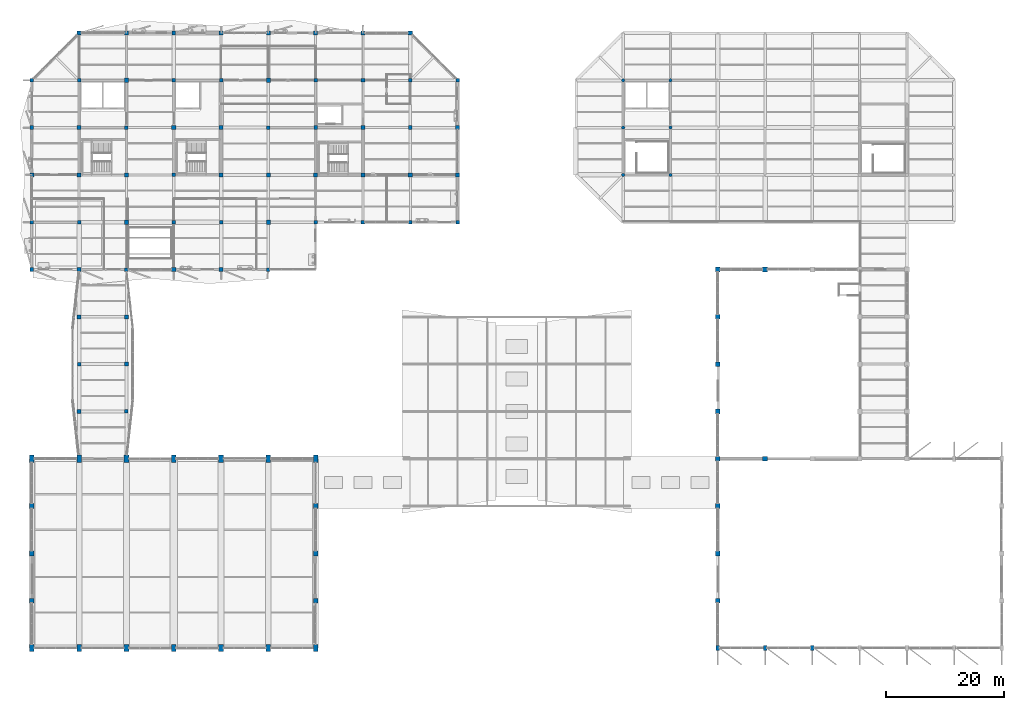
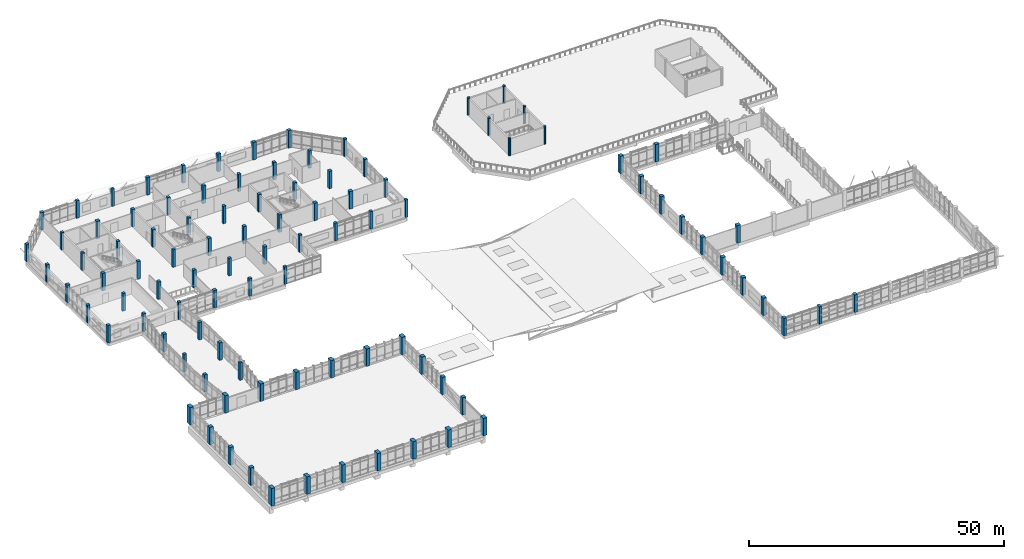
# One storey, part 1 of 84: 99 columns.
"""IFC4 building model written with IfcOpenShell, lengths in metres."""

import ifcopenshell
import ifcopenshell.guid

model = None  # the IFC model being written
_history = None  # IfcOwnerHistory: only IFC2X3 demands one
_inside = {}  # id of a spatial element -> (the spatial element, [elements in it])
_under = {}  # id of a project, library or spatial element -> (it, [spatial elements below it])
_declared = {}  # id of a project -> (the project, [libraries it declares])
_typed = {}  # id of a type object -> (the type object, [elements of that type])
_made_of = {}  # id of a material, layer set ... -> (it, [elements and type objects made of it])


def new_model(schema):
    """Start an empty IFC model of exactly this schema.

    Asked for "IFC4X3", IfcOpenShell would pick the latest addendum, in which some entities
    have other attributes; the version numbers below select the first issue.
    IFC2X3 requires an IfcOwnerHistory on every rooted entity: one is made here for all.
    """
    global model, _history
    if schema == "IFC4X3":
        model = ifcopenshell.file(schema_version=(4, 3, 0, 0))
    else:
        model = ifcopenshell.file(schema=schema)
    _inside.clear()
    _under.clear()
    _declared.clear()
    _typed.clear()
    _made_of.clear()
    _history = None
    if model.schema == "IFC2X3":
        org = make("IfcOrganization", Name="unknown")
        user = make(
            "IfcPersonAndOrganization",
            ThePerson=make("IfcPerson", FamilyName="unknown"),
            TheOrganization=org,
        )
        app = make(
            "IfcApplication",
            ApplicationDeveloper=org,
            Version="unknown",
            ApplicationFullName="unknown",
            ApplicationIdentifier="unknown",
        )
        _history = make(
            "IfcOwnerHistory",
            OwningUser=user,
            OwningApplication=app,
            ChangeAction="ADDED",
            CreationDate=0,
        )
    return model


def make(cls, **values):
    """One entity of the class cls with the attributes given. An attribute that is None is left unset."""
    return model.create_entity(
        cls, **{name: value for name, value in values.items() if value is not None}
    )


def rooted(cls, **values):
    """An entity with a GlobalId (a new one), such as an element, a storey or a relation."""
    return make(cls, GlobalId=ifcopenshell.guid.new(), OwnerHistory=_history, **values)


def si_unit(unit_type, name, prefix=None):
    """IfcSIUnit, for example si_unit("LENGTHUNIT", "METRE", prefix="MILLI")."""
    return make("IfcSIUnit", UnitType=unit_type, Prefix=prefix, Name=name)


def assignment(units):
    """IfcUnitAssignment: the units of a project."""
    return None if units is None else make("IfcUnitAssignment", Units=units)


def point(xyz):
    """IfcCartesianPoint."""
    return None if xyz is None else make("IfcCartesianPoint", Coordinates=xyz)


def direction(xyz):
    """IfcDirection."""
    return None if xyz is None else make("IfcDirection", DirectionRatios=xyz)


def frame(location, z_axis=None, x_axis=None):
    """IfcAxis2Placement3D, a coordinate frame: its origin and axes. An axis left out is left unset."""
    return make(
        "IfcAxis2Placement3D",
        Location=point(location),
        Axis=direction(z_axis),
        RefDirection=direction(x_axis),
    )


def frame_2d(location, x_axis=None):
    """IfcAxis2Placement2D, a coordinate frame in the plane: its origin and x axis."""
    return make(
        "IfcAxis2Placement2D", Location=point(location), RefDirection=direction(x_axis)
    )


def origin():
    """The frame at (0, 0, 0) with its axes left unset."""
    return frame((0.0, 0.0, 0.0))


def origin_2d():
    """The frame at (0, 0) in the plane with its x axis left unset."""
    return frame_2d((0.0, 0.0))


def place(relative_to, where):
    """IfcLocalPlacement: puts the frame where relative to a parent placement (None: the world)."""
    return make(
        "IfcLocalPlacement", PlacementRelTo=relative_to, RelativePlacement=where
    )


def context(
    kind, dimensions, precision=None, world=None, true_north=None, identifier=None
):
    """IfcGeometricRepresentationContext, for example the 3D "Model" context."""
    return make(
        "IfcGeometricRepresentationContext",
        ContextIdentifier=identifier,
        ContextType=kind,
        CoordinateSpaceDimension=dimensions,
        Precision=precision,
        WorldCoordinateSystem=world,
        TrueNorth=true_north,
    )


def subcontext(parent, identifier, kind, view, scale=None):
    """IfcGeometricRepresentationSubContext, for example "Body" below "Model"."""
    return make(
        "IfcGeometricRepresentationSubContext",
        ContextIdentifier=identifier,
        ContextType=kind,
        ParentContext=parent,
        TargetScale=scale,
        TargetView=view,
    )


def project(units=None, contexts=None):
    """IfcProject with its units and contexts."""
    return rooted(
        "IfcProject",
        Name="project",
        RepresentationContexts=contexts,
        UnitsInContext=assignment(units),
    )


def spatial(cls, under=None, at=None, **own):
    """A site, building, storey or space (cls), placed at a placement, below another one or the project."""
    s = rooted(cls, ObjectPlacement=at, **own)
    if under is not None:
        _under.setdefault(under.id(), (under, []))[1].append(s)
    return s


def profile(cls, at=None, kind="AREA", **sizes):
    """A parametric profile (cls). Its sizes go by their IFC names, for example OverallWidth=200.0."""
    return make(cls, ProfileType=kind, Position=at, **sizes)


def rectangle(**sizes):
    """IfcRectangleProfileDef."""
    return profile("IfcRectangleProfileDef", **sizes)


def circle(**sizes):
    """IfcCircleProfileDef."""
    return profile("IfcCircleProfileDef", **sizes)


def extrude(swept, where, along, depth):
    """IfcExtrudedAreaSolid: the profile swept, set in the frame where, extruded along a direction by depth."""
    return make(
        "IfcExtrudedAreaSolid",
        SweptArea=swept,
        Position=where,
        ExtrudedDirection=direction(along),
        Depth=depth,
    )


def shape(context_of_items, identifier, shape_type, items):
    """IfcShapeRepresentation: the items that make up one representation, for example the "Body"."""
    return make(
        "IfcShapeRepresentation",
        ContextOfItems=context_of_items,
        RepresentationIdentifier=identifier,
        RepresentationType=shape_type,
        Items=items,
    )


def material(Name=None, Category=None):
    """IfcMaterial."""
    return make("IfcMaterial", Name=Name, Category=Category)


def material_profile(
    of_material, cross_section, Name=None, Category=None, Priority=None
):
    """IfcMaterialProfile: a cross section and its material."""
    return make(
        "IfcMaterialProfile",
        Name=Name,
        Material=of_material,
        Profile=cross_section,
        Priority=Priority,
        Category=Category,
    )


def profile_set(profiles, Name=None, composite=None):
    """IfcMaterialProfileSet."""
    return make(
        "IfcMaterialProfileSet",
        Name=Name,
        MaterialProfiles=profiles,
        CompositeProfile=composite,
    )


def made_of(thing, what):
    """Note that an element or type object is made of a material, layer set ...; save() writes the relation."""
    if what is not None:
        _made_of.setdefault(what.id(), (what, []))[1].append(thing)
    return thing


def type_object(cls, material=None, **own):
    """A type object (cls), such as IfcWallType, which elements share."""
    return made_of(rooted(cls, **own), material)


def element(
    cls,
    number,
    at=None,
    inside=None,
    cuts=None,
    type_object=None,
    material=None,
    context=None,
    identifier="Body",
    shape_type=None,
    held_by="IfcProductDefinitionShape",
    body=None,
    shapes=None,
    **own,
):
    """One element of the class cls, such as IfcWall. Its Tag is "e" and its number.

    at: its placement. inside: the storey or other place that contains it. cuts: it is an
    opening in that element (IfcRelVoidsElement). A single representation is given by context,
    identifier, shape_type and body (its items); several are given by shapes. held_by: the class
    of the entity that holds the representations. save() writes the other relations.
    """
    e = rooted(cls, Tag="e%d" % number, ObjectPlacement=at, **own)
    if body is not None:
        shapes = [shape(context, identifier, shape_type, body)]
    if shapes is not None:
        e.Representation = make(held_by, Representations=shapes)
    if inside is not None:
        _inside.setdefault(inside.id(), (inside, []))[1].append(e)
    if cuts is not None:
        rooted(
            "IfcRelVoidsElement", RelatingBuildingElement=cuts, RelatedOpeningElement=e
        )
    if type_object is not None:
        _typed.setdefault(type_object.id(), (type_object, []))[1].append(e)
    return made_of(e, material)


def aggregate(whole, parts):
    """IfcRelAggregates: a whole, such as a stair, and the parts it consists of."""
    return rooted("IfcRelAggregates", RelatingObject=whole, RelatedObjects=parts)


def save(model, path):
    """Write the relations noted so far, then the file.

    IfcRelAggregates (storeys below a building ...), IfcRelContainedInSpatialStructure (elements
    in a storey), IfcRelDefinesByType, IfcRelAssociatesMaterial and IfcRelDeclares: one each for
    every whole, place, type object, material and project.
    """
    for whole, parts in _under.values():
        aggregate(whole, parts)
    for where, things in _inside.values():
        rooted(
            "IfcRelContainedInSpatialStructure",
            RelatedElements=things,
            RelatingStructure=where,
        )
    for kind, things in _typed.values():
        rooted("IfcRelDefinesByType", RelatedObjects=things, RelatingType=kind)
    for what, things in _made_of.values():
        rooted("IfcRelAssociatesMaterial", RelatedObjects=things, RelatingMaterial=what)
    for by, libraries in _declared.values():
        rooted("IfcRelDeclares", RelatingContext=by, RelatedDefinitions=libraries)
    model.write(path)


model = new_model("IFC4")

# Units and contexts
model_context = context("Model", 3, precision=1e-05, world=origin(), true_north=direction((0.0, 1.0)))
body_context = subcontext(model_context, "Body", "Model", "MODEL_VIEW")
ifc_project = project(units=[si_unit("LENGTHUNIT", "METRE"), si_unit("AREAUNIT", "SQUARE_METRE"), si_unit("VOLUMEUNIT", "CUBIC_METRE"), si_unit("PLANEANGLEUNIT", "RADIAN"), si_unit("MASSUNIT", "GRAM", prefix="KILO")], contexts=[model_context])

# Site, building, storey
site_placement = place(None, origin())
site = spatial("IfcSite", under=ifc_project, at=site_placement, CompositionType="ELEMENT")
building_placement = place(site_placement, origin())
building = spatial("IfcBuilding", under=site, at=building_placement, Name="Tenunan Teduh Sports Hall", CompositionType="ELEMENT")
storey_placement = place(building_placement, frame((0.0, 0.0, 10.800048828125)))
storey = spatial("IfcBuildingStorey", under=building, at=storey_placement, Name="L02", CompositionType="ELEMENT", Elevation=10.800048828125)

# Columns
ifc_material_1 = material(Name="Concrete C40/50", Category="concrete")
ifc_material_profile_1 = material_profile(ifc_material_1, rectangle(XDim=0.60009765625, YDim=0.60009765625, at=origin_2d()), Name="RC 600x600")
ifc_profile_set_1 = profile_set([ifc_material_profile_1], Name="Concrete C40/50")
column_type_1 = type_object("IfcColumnType", Name="COL-RC-600", PredefinedType="COLUMN", material=ifc_profile_set_1)
for number, where, z_axis, x_axis, name in (
    (1, (6.0, 86.0, 0.0), (0.0, 0.0, 1.0), (1.0, 0.0, 0.0), "COL-C-09-L02-011"),
    (2, (6.0, 110.0, 0.0), (0.0, 0.0, 1.0), (1.0, 0.0, 0.0), "COL-C-09-L02-014"),
    (3, (14.0, 62.0, 0.0), (0.0, 0.0, 1.0), (1.0, 0.0, 0.0), "COL-C-09-L02-020"),
    (4, (14.0, 86.0, 0.0), (0.0, 0.0, 1.0), (1.0, 0.0, 0.0), "COL-C-09-L02-023"),
    (5, (14.0, 110.0, 0.0), (0.0, 0.0, 1.0), (1.0, 0.0, 0.0), "COL-C-09-L02-026"),
    (6, (22.0, 54.0, 0.0), (0.0, 0.0, 1.0), (1.0, 0.0, 0.0), "COL-C-09-L02-032"),
    (7, (22.0, 78.0, 0.0), (0.0, 0.0, 1.0), (1.0, 0.0, 0.0), "COL-C-09-L02-035"),
    (8, (22.0, 102.0, 0.0), (0.0, 0.0, 1.0), (1.0, 0.0, 0.0), "COL-C-09-L02-038"),
    (9, (30.0, 94.0, 0.0), (0.0, 0.0, 1.0), (1.0, 0.0, 0.0), "COL-C-09-L02-047"),
    (10, (30.0, 118.0, 0.0), (0.0, 0.0, 1.0), (1.0, 0.0, 0.0), "COL-C-09-L02-050"),
    (11, (38.0, 86.0, 0.0), (0.0, 0.0, 1.0), (1.0, 0.0, 0.0), "COL-C-09-L02-056"),
    (12, (38.0, 110.0, 0.0), (0.0, 0.0, 1.0), (1.0, 0.0, 0.0), "COL-C-09-L02-059"),
    (13, (46.0, 78.0, 0.0), (0.0, 0.0, 1.0), (1.0, 0.0, 0.0), "COL-C-09-L02-065"),
    (14, (46.0, 102.0, 0.0), (0.0, 0.0, 1.0), (1.0, 0.0, 0.0), "COL-C-09-L02-068"),
    (15, (54.0, 86.0, 0.0), (0.0, 0.0, 1.0), (1.0, 0.0, 0.0), "COL-C-09-L02-080"),
    (16, (54.0, 110.0, 0.0), (0.0, 0.0, 1.0), (1.0, 0.0, 0.0), "COL-C-09-L02-083"),
    (17, (62.0, 86.0, 0.0), (0.0, 0.0, 1.0), (1.0, 0.0, 0.0), "COL-C-09-L02-092"),
    (18, (62.0, 110.0, 0.0), (0.0, 0.0, 1.0), (1.0, 0.0, 0.0), "COL-C-09-L02-095"),
    (19, (70.0, 86.0, 0.0), (0.0, 0.0, 1.0), (1.0, 0.0, 0.0), "COL-C-09-L02-104"),
    (20, (70.0, 110.0, 0.0), (0.0, 0.0, 1.0), (1.0, 0.0, 0.0), "COL-C-09-L02-107"),
    (21, (78.0, 86.0, 0.0), (0.0, 0.0, 1.0), (1.0, 0.0, 0.0), "COL-C-09-L02-116"),
    (22, (78.0, 110.0, 0.0), (0.0, 0.0, 1.0), (1.0, 0.0, 0.0), "COL-C-09-L02-119"),
):
    element("IfcColumn", number, at=place(storey_placement, frame(where, z_axis=z_axis, x_axis=x_axis)), inside=storey, type_object=column_type_1, Name=name, PredefinedType="COLUMN", context=body_context, shape_type="SweptSolid", body=[
        extrude(rectangle(XDim=0.60009765625, YDim=0.60009765625, at=origin_2d()), origin(), (0.0, 0.0, 1.0), 4.199951171875),
    ])
ifc_material_2 = material(Name="Concrete C40/50", Category="concrete")
ifc_material_profile_2 = material_profile(ifc_material_2, rectangle(XDim=0.60009765625, YDim=0.89990234375, at=origin_2d()), Name="RC 600x900")
ifc_profile_set_2 = profile_set([ifc_material_profile_2], Name="Concrete C40/50")
column_type_2 = type_object("IfcColumnType", Name="COL-RC-600x900", PredefinedType="COLUMN", material=ifc_profile_set_2)
for number, where, z_axis, x_axis, name in (
    (23, (122.0, 14.0, 0.0), (0.0, 0.0, 1.0), (1.0, 0.0, 0.0), "COL-C-17-L02-152"),
    (24, (130.0, 14.0, 0.0), (0.0, 0.0, 1.0), (1.0, 0.0, 0.0), "COL-C-17-L02-167"),
    (25, (138.0, 14.0, 0.0), (0.0, 0.0, 1.0), (1.0, 0.0, 0.0), "COL-C-17-L02-177"),
):
    element("IfcColumn", number, at=place(storey_placement, frame(where, z_axis=z_axis, x_axis=x_axis)), inside=storey, type_object=column_type_2, Name=name, PredefinedType="COLUMN", context=body_context, shape_type="SweptSolid", body=[
        extrude(rectangle(XDim=0.60009765625, YDim=0.89990234375, at=origin_2d()), origin(), (0.0, 0.0, 1.0), 4.199951171875),
    ])
ifc_material_3 = material(Name="Concrete C40/50", Category="concrete")
ifc_material_profile_3 = material_profile(ifc_material_3, rectangle(XDim=0.64990234375, YDim=0.64990234375, at=origin_2d()), Name="RC 650x650")
ifc_profile_set_3 = profile_set([ifc_material_profile_3], Name="Concrete C40/50")
column_type_3 = type_object("IfcColumnType", Name="COL-RC-650", PredefinedType="COLUMN", material=ifc_profile_set_3)
for number, where, z_axis, x_axis, name in (
    (26, (6.0, 78.0, 0.0), (0.0, 0.0, 1.0), (1.0, 0.0, 0.0), "COL-C-08-L02-010"),
    (27, (6.0, 102.0, 0.0), (0.0, 0.0, 1.0), (1.0, 0.0, 0.0), "COL-C-08-L02-013"),
    (28, (14.0, 54.0, 0.0), (0.0, 0.0, 1.0), (1.0, 0.0, 0.0), "COL-C-08-L02-019"),
    (29, (14.0, 78.0, 0.0), (0.0, 0.0, 1.0), (1.0, 0.0, 0.0), "COL-C-08-L02-022"),
    (30, (14.0, 102.0, 0.0), (0.0, 0.0, 1.0), (1.0, 0.0, 0.0), "COL-C-08-L02-025"),
    (31, (22.0, 70.0, 0.0), (0.0, 0.0, 1.0), (1.0, 0.0, 0.0), "COL-C-08-L02-034"),
    (32, (22.0, 94.0, 0.0), (0.0, 0.0, 1.0), (1.0, 0.0, 0.0), "COL-C-08-L02-037"),
    (33, (22.0, 118.0, 0.0), (0.0, 0.0, 1.0), (1.0, 0.0, 0.0), "COL-C-08-L02-040"),
    (34, (30.0, 86.0, 0.0), (0.0, 0.0, 1.0), (1.0, 0.0, 0.0), "COL-C-08-L02-046"),
    (35, (30.0, 110.0, 0.0), (0.0, 0.0, 1.0), (1.0, 0.0, 0.0), "COL-C-08-L02-049"),
    (36, (38.0, 78.0, 0.0), (0.0, 0.0, 1.0), (1.0, 0.0, 0.0), "COL-C-08-L02-055"),
    (37, (38.0, 102.0, 0.0), (0.0, 0.0, 1.0), (1.0, 0.0, 0.0), "COL-C-08-L02-058"),
    (38, (46.0, 94.0, 0.0), (0.0, 0.0, 1.0), (1.0, 0.0, 0.0), "COL-C-08-L02-067"),
    (39, (46.0, 118.0, 0.0), (0.0, 0.0, 1.0), (1.0, 0.0, 0.0), "COL-C-08-L02-070"),
    (40, (54.0, 102.0, 0.0), (0.0, 0.0, 1.0), (1.0, 0.0, 0.0), "COL-C-08-L02-082"),
    (41, (62.0, 102.0, 0.0), (0.0, 0.0, 1.0), (1.0, 0.0, 0.0), "COL-C-08-L02-094"),
    (42, (70.0, 102.0, 0.0), (0.0, 0.0, 1.0), (1.0, 0.0, 0.0), "COL-C-08-L02-106"),
    (43, (78.0, 102.0, 0.0), (0.0, 0.0, 1.0), (1.0, 0.0, 0.0), "COL-C-08-L02-118"),
):
    element("IfcColumn", number, at=place(storey_placement, frame(where, z_axis=z_axis, x_axis=x_axis)), inside=storey, type_object=column_type_3, Name=name, PredefinedType="COLUMN", context=body_context, shape_type="SweptSolid", body=[
        extrude(rectangle(XDim=0.64990234375, YDim=0.64990234375, at=origin_2d()), origin(), (0.0, 0.0, 1.0), 4.199951171875),
    ])
ifc_material_4 = material(Name="Concrete C40/50", Category="concrete")
ifc_material_profile_4 = material_profile(ifc_material_4, rectangle(XDim=0.699951171875, YDim=0.699951171875, at=origin_2d()), Name="RC 700x700")
ifc_profile_set_4 = profile_set([ifc_material_profile_4], Name="Concrete C40/50")
column_type_4 = type_object("IfcColumnType", Name="COL-RC-700", PredefinedType="COLUMN", material=ifc_profile_set_4)
for number, where, z_axis, x_axis, name in (
    (44, (6.0, 94.0, 0.0), (0.0, 0.0, 1.0), (1.0, 0.0, 0.0), "COL-C-07-L02-012"),
    (45, (14.0, 70.0, 0.0), (0.0, 0.0, 1.0), (1.0, 0.0, 0.0), "COL-C-07-L02-021"),
    (46, (14.0, 94.0, 0.0), (0.0, 0.0, 1.0), (1.0, 0.0, 0.0), "COL-C-07-L02-024"),
    (47, (14.0, 118.0, 0.0), (0.0, 0.0, 1.0), (1.0, 0.0, 0.0), "COL-C-07-L02-027"),
    (48, (22.0, 62.0, 0.0), (0.0, 0.0, 1.0), (1.0, 0.0, 0.0), "COL-C-07-L02-033"),
    (49, (22.0, 86.0, 0.0), (0.0, 0.0, 1.0), (1.0, 0.0, 0.0), "COL-C-07-L02-036"),
    (50, (22.0, 110.0, 0.0), (0.0, 0.0, 1.0), (1.0, 0.0, 0.0), "COL-C-07-L02-039"),
    (51, (30.0, 78.0, 0.0), (0.0, 0.0, 1.0), (1.0, 0.0, 0.0), "COL-C-07-L02-045"),
    (52, (30.0, 102.0, 0.0), (0.0, 0.0, 1.0), (1.0, 0.0, 0.0), "COL-C-07-L02-048"),
    (53, (38.0, 94.0, 0.0), (0.0, 0.0, 1.0), (1.0, 0.0, 0.0), "COL-C-07-L02-057"),
    (54, (38.0, 118.0, 0.0), (0.0, 0.0, 1.0), (1.0, 0.0, 0.0), "COL-C-07-L02-060"),
    (55, (46.0, 86.0, 0.0), (0.0, 0.0, 1.0), (1.0, 0.0, 0.0), "COL-C-07-L02-066"),
    (56, (46.0, 110.0, 0.0), (0.0, 0.0, 1.0), (1.0, 0.0, 0.0), "COL-C-07-L02-069"),
    (57, (54.0, 94.0, 0.0), (0.0, 0.0, 1.0), (1.0, 0.0, 0.0), "COL-C-07-L02-081"),
    (58, (54.0, 118.0, 0.0), (0.0, 0.0, 1.0), (1.0, 0.0, 0.0), "COL-C-07-L02-084"),
    (59, (62.0, 94.0, 0.0), (0.0, 0.0, 1.0), (1.0, 0.0, 0.0), "COL-C-07-L02-093"),
    (60, (62.0, 118.0, 0.0), (0.0, 0.0, 1.0), (1.0, 0.0, 0.0), "COL-C-07-L02-096"),
    (61, (70.0, 94.0, 0.0), (0.0, 0.0, 1.0), (1.0, 0.0, 0.0), "COL-C-07-L02-105"),
    (62, (70.0, 118.0, 0.0), (0.0, 0.0, 1.0), (1.0, 0.0, 0.0), "COL-C-07-L02-108"),
    (63, (78.0, 94.0, 0.0), (0.0, 0.0, 1.0), (1.0, 0.0, 0.0), "COL-C-07-L02-117"),
):
    element("IfcColumn", number, at=place(storey_placement, frame(where, z_axis=z_axis, x_axis=x_axis)), inside=storey, type_object=column_type_4, Name=name, PredefinedType="COLUMN", context=body_context, shape_type="SweptSolid", body=[
        extrude(rectangle(XDim=0.699951171875, YDim=0.699951171875, at=origin_2d()), origin(), (0.0, 0.0, 1.0), 4.199951171875),
    ])
ifc_material_5 = material(Name="Concrete C40/50", Category="concrete")
ifc_material_profile_5 = material_profile(ifc_material_5, rectangle(XDim=0.800048828125, YDim=0.800048828125, at=origin_2d()), Name="RC 800x800")
ifc_profile_set_5 = profile_set([ifc_material_profile_5], Name="Concrete C40/50")
column_type_5 = type_object("IfcColumnType", Name="COL-RC-800", PredefinedType="COLUMN", material=ifc_profile_set_5)
for number, where, z_axis, x_axis, name in (
    (64, (6.0, 22.0, 0.0), (0.0, 0.0, 1.0), (1.0, 0.0, 0.0), "COL-C-05-L02-003"),
    (65, (6.0, 30.0, 0.0), (0.0, 0.0, 1.0), (1.0, 0.0, 0.0), "COL-C-05-L02-004"),
    (66, (6.0, 38.0, 0.0), (0.0, 0.0, 1.0), (1.0, 0.0, 0.0), "COL-C-05-L02-005"),
    (67, (54.0, 22.0, 0.0), (0.0, 0.0, 1.0), (1.0, 0.0, 0.0), "COL-C-05-L02-073"),
    (68, (54.0, 30.0, 0.0), (0.0, 0.0, 1.0), (1.0, 0.0, 0.0), "COL-C-05-L02-074"),
    (69, (54.0, 38.0, 0.0), (0.0, 0.0, 1.0), (1.0, 0.0, 0.0), "COL-C-05-L02-075"),
    (70, (122.0, 22.0, 0.0), (0.0, 0.0, 1.0), (1.0, 0.0, 0.0), "COL-C-05-L02-153"),
    (71, (122.0, 30.0, 0.0), (0.0, 0.0, 1.0), (1.0, 0.0, 0.0), "COL-C-05-L02-154"),
    (72, (122.0, 38.0, 0.0), (0.0, 0.0, 1.0), (1.0, 0.0, 0.0), "COL-C-05-L02-155"),
    (73, (122.0, 46.0, 0.0), (0.0, 0.0, 1.0), (1.0, 0.0, 0.0), "COL-C-05-L02-156"),
    (74, (122.0, 54.0, 0.0), (0.0, 0.0, 1.0), (1.0, 0.0, 0.0), "COL-C-05-L02-157"),
    (75, (122.0, 62.0, 0.0), (0.0, 0.0, 1.0), (1.0, 0.0, 0.0), "COL-C-05-L02-158"),
    (76, (122.0, 70.0, 0.0), (0.0, 0.0, 1.0), (1.0, 0.0, 0.0), "COL-C-05-L02-159"),
    (77, (122.0, 78.0, 0.0), (0.0, 0.0, 1.0), (1.0, 0.0, 0.0), "COL-C-05-L02-160"),
    (78, (130.0, 46.0, 0.0), (0.0, 0.0, 1.0), (1.0, 0.0, 0.0), "COL-C-05-L02-169"),
    (79, (130.0, 78.0, 0.0), (0.0, 0.0, 1.0), (1.0, 0.0, 0.0), "COL-C-05-L02-170"),
):
    element("IfcColumn", number, at=place(storey_placement, frame(where, z_axis=z_axis, x_axis=x_axis)), inside=storey, type_object=column_type_5, Name=name, PredefinedType="COLUMN", context=body_context, shape_type="SweptSolid", body=[
        extrude(rectangle(XDim=0.800048828125, YDim=0.800048828125, at=origin_2d()), origin(), (0.0, 0.0, 1.0), 4.199951171875),
    ])
ifc_material_6 = material(Name="Concrete C40/50", Category="concrete")
ifc_material_profile_6 = material_profile(ifc_material_6, rectangle(XDim=0.800048828125, YDim=1.199951171875, at=origin_2d()), Name="RC 800x1200")
ifc_profile_set_6 = profile_set([ifc_material_profile_6], Name="Concrete C40/50")
column_type_6 = type_object("IfcColumnType", Name="COL-RC-800x1200", PredefinedType="COLUMN", material=ifc_profile_set_6)
for number, where, z_axis, x_axis, name in (
    (80, (6.0, 14.0, 0.0), (0.0, 0.0, 1.0), (1.0, 0.0, 0.0), "COL-C-14-L02-002"),
    (81, (6.0, 46.0, 0.0), (0.0, 0.0, 1.0), (1.0, 0.0, 0.0), "COL-C-14-L02-006"),
    (82, (14.0, 14.0, 0.0), (0.0, 0.0, 1.0), (1.0, 0.0, 0.0), "COL-C-14-L02-016"),
    (83, (14.0, 46.0, 0.0), (0.0, 0.0, 1.0), (1.0, 0.0, 0.0), "COL-C-14-L02-018"),
    (84, (22.0, 14.0, 0.0), (0.0, 0.0, 1.0), (1.0, 0.0, 0.0), "COL-C-14-L02-029"),
    (85, (22.0, 46.0, 0.0), (0.0, 0.0, 1.0), (1.0, 0.0, 0.0), "COL-C-14-L02-031"),
    (86, (30.0, 14.0, 0.0), (0.0, 0.0, 1.0), (1.0, 0.0, 0.0), "COL-C-14-L02-042"),
    (87, (30.0, 46.0, 0.0), (0.0, 0.0, 1.0), (1.0, 0.0, 0.0), "COL-C-14-L02-044"),
    (88, (38.0, 14.0, 0.0), (0.0, 0.0, 1.0), (1.0, 0.0, 0.0), "COL-C-14-L02-052"),
    (89, (38.0, 46.0, 0.0), (0.0, 0.0, 1.0), (1.0, 0.0, 0.0), "COL-C-14-L02-054"),
    (90, (46.0, 14.0, 0.0), (0.0, 0.0, 1.0), (1.0, 0.0, 0.0), "COL-C-14-L02-062"),
    (91, (46.0, 46.0, 0.0), (0.0, 0.0, 1.0), (1.0, 0.0, 0.0), "COL-C-14-L02-064"),
    (92, (54.0, 14.0, 0.0), (0.0, 0.0, 1.0), (1.0, 0.0, 0.0), "COL-C-14-L02-072"),
    (93, (54.0, 46.0, 0.0), (0.0, 0.0, 1.0), (1.0, 0.0, 0.0), "COL-C-14-L02-076"),
):
    element("IfcColumn", number, at=place(storey_placement, frame(where, z_axis=z_axis, x_axis=x_axis)), inside=storey, type_object=column_type_6, Name=name, PredefinedType="COLUMN", context=body_context, shape_type="SweptSolid", body=[
        extrude(rectangle(XDim=0.800048828125, YDim=1.199951171875, at=origin_2d()), origin(), (0.0, 0.0, 1.0), 4.199951171875),
    ])
ifc_material_7 = material(Name="Concrete C40/50", Category="concrete")
ifc_material_profile_7 = material_profile(ifc_material_7, circle(Radius=0.27490234375, at=origin_2d()), Name="RCC D550")
ifc_profile_set_7 = profile_set([ifc_material_profile_7], Name="Concrete C40/50")
column_type_7 = type_object("IfcColumnType", Name="COL-RCC-550", PredefinedType="COLUMN", material=ifc_profile_set_7)
for number, where, z_axis, x_axis, name in (
    (94, (106.0, 94.0, 0.0), (0.0, 0.0, 1.0), (1.0, 0.0, 0.0), "COL-C-22-L02-138"),
    (95, (106.0, 102.0, 0.0), (0.0, 0.0, 1.0), (1.0, 0.0, 0.0), "COL-C-22-L02-139"),
    (96, (106.0, 110.0, 0.0), (0.0, 0.0, 1.0), (1.0, 0.0, 0.0), "COL-C-22-L02-140"),
    (97, (114.0, 94.0, 0.0), (0.0, 0.0, 1.0), (1.0, 0.0, 0.0), "COL-C-22-L02-147"),
    (98, (114.0, 102.0, 0.0), (0.0, 0.0, 1.0), (1.0, 0.0, 0.0), "COL-C-22-L02-148"),
    (99, (114.0, 110.0, 0.0), (0.0, 0.0, 1.0), (1.0, 0.0, 0.0), "COL-C-22-L02-149"),
):
    element("IfcColumn", number, at=place(storey_placement, frame(where, z_axis=z_axis, x_axis=x_axis)), inside=storey, type_object=column_type_7, Name=name, PredefinedType="COLUMN", context=body_context, shape_type="SweptSolid", body=[
        extrude(circle(Radius=0.27490234375, at=origin_2d()), origin(), (0.0, 0.0, 1.0), 4.199951171875),
    ])

save(model, "model.ifc")
